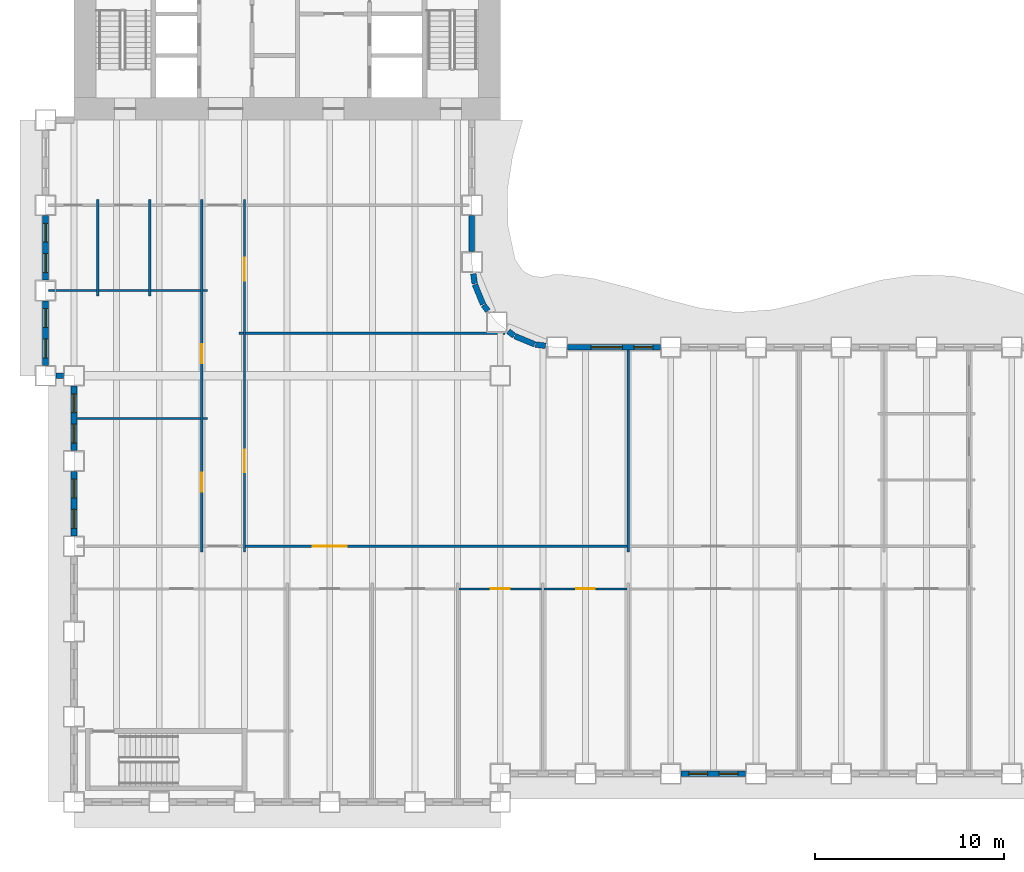
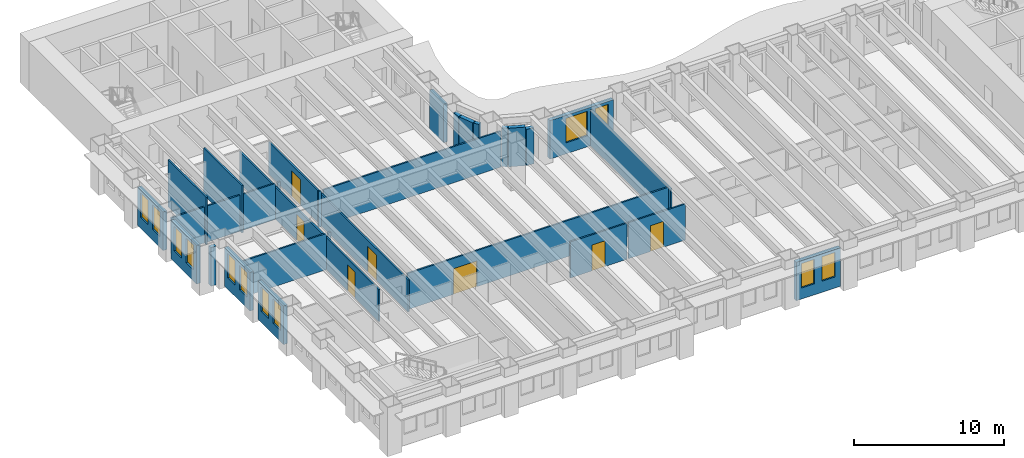
# One storey, part 4 of 16: 30 walls, 12 windows, 7 doors, 19 openings.
"""IFC4 building model written with IfcOpenShell, lengths in metres."""

from ifc_helpers import new_model, si_unit, direction, frame, frame_2d, origin, place, context, subcontext, project, spatial, rectangle, extrude, material, layer, layer_set, type_object, element, fill, save


model = new_model("IFC4")

# Units and contexts
model_context = context("Model", 3, precision=1e-05, world=origin(), true_north=direction((0.0, 1.0)))
body_context = subcontext(model_context, "Body", "Model", "MODEL_VIEW")
ifc_project = project(units=[si_unit("LENGTHUNIT", "METRE"), si_unit("AREAUNIT", "SQUARE_METRE"), si_unit("VOLUMEUNIT", "CUBIC_METRE"), si_unit("PLANEANGLEUNIT", "RADIAN"), si_unit("MASSUNIT", "GRAM", prefix="KILO")], contexts=[model_context])

# Site, building, storey
site_placement = place(None, origin())
site = spatial("IfcSite", under=ifc_project, at=site_placement, CompositionType="ELEMENT")
building_placement = place(site_placement, origin())
building = spatial("IfcBuilding", under=site, at=building_placement, Name="Sennacour Bend Tower", CompositionType="ELEMENT")
storey_placement = place(building_placement, frame((0.0, 0.0, 45.0)))
storey = spatial("IfcBuildingStorey", under=building, at=storey_placement, Name="L09", CompositionType="ELEMENT", Elevation=45.0)

# Walls
ifc_material_1 = material(Name="Plasterboard partition on steel studs", Category="steel")
ifc_layer_1 = layer(ifc_material_1, 0.1201171875, Name="Plasterboard partition on steel studs", Category="steel")
ifc_layer_set_1 = layer_set([ifc_layer_1], Name="Plasterboard partition on steel studs")
wall_type_1 = type_object("IfcWallType", Name="Partition 120", PredefinedType="PARTITIONING", material=ifc_layer_set_1)
for number, where, z_axis, x_axis, name in (
    (1, (1.25, 26.699951171875, 0.0), (0.0, 0.0, 1.0), (0.0, 1.0, 0.0), "P-L09-W004a"),
    (2, (4.0, 26.699951171875, 0.0), (0.0, 0.0, 1.0), (0.0, 1.0, 0.0), "P-L09-W006a"),
):
    element("IfcWall", number, at=place(storey_placement, frame(where, z_axis=z_axis, x_axis=x_axis)), inside=storey, type_object=wall_type_1, Name=name, PredefinedType="PARTITIONING", context=body_context, shape_type="SweptSolid", body=[
        extrude(rectangle(XDim=5.10009765625, YDim=0.1201171875, at=frame_2d((2.550048828125, 0.0))), origin(), (0.0, 0.0, 1.0), 3.85009765625),
    ])

# Wall, openings, doors
wall_1_placement = place(storey_placement, frame((6.75, 13.199951171875, 0.0), z_axis=(0.0, 0.0, 1.0), x_axis=(0.0, 1.0, 0.0)))
wall_1 = element("IfcWall", 3, at=wall_1_placement, inside=storey, type_object=wall_type_1, Name="P-L09-W010a", PredefinedType="PARTITIONING", context=body_context, shape_type="SweptSolid", body=[
    extrude(rectangle(XDim=18.60009765625, YDim=0.1201171875, at=frame_2d((9.300048828125, 0.0))), origin(), (0.0, 0.0, 1.0), 2.60009765625),
])
opening_1_placement = place(wall_1_placement, frame((3.175048828125, 0.0, 0.0)))
opening_1 = element("IfcOpeningElement", 4, at=opening_1_placement, cuts=wall_1, Name="Opening OD2", PredefinedType="OPENING", context=body_context, shape_type="SweptSolid", body=[
    extrude(rectangle(XDim=1.0, YDim=2.10009765625, at=frame_2d((0.5, 1.050048828125))), frame((0.0, 0.070068359375, 0.0), z_axis=(0.0, -1.0, 0.0), x_axis=(1.0, 0.0, 0.0)), (0.0, 0.0, 1.0), 0.14013671875),
])
opening_2_placement = place(wall_1_placement, frame((9.955078125, 0.0, 0.0)))
opening_2 = element("IfcOpeningElement", 5, at=opening_2_placement, cuts=wall_1, Name="Opening MD2", PredefinedType="OPENING", context=body_context, shape_type="SweptSolid", body=[
    extrude(rectangle(XDim=1.0, YDim=2.10009765625, at=frame_2d((0.5, 1.050048828125))), frame((0.0, 0.070068359375, 0.0), z_axis=(0.0, -1.0, 0.0), x_axis=(1.0, 0.0, 0.0)), (0.0, 0.0, 1.0), 0.14013671875),
])
ifc_material_2 = material(Name="Timber", Category="wood")
door_type_1 = type_object("IfcDoorType", Name="DR-MEETING-1000", OperationType="NOTDEFINED", PredefinedType="DOOR", material=ifc_material_2)
door_1_placement = place(opening_2_placement, origin())
door_1 = element("IfcDoor", 6, at=door_1_placement, inside=storey, type_object=door_type_1, Name="Door", OperationType="SINGLE_SWING_RIGHT", OverallHeight=2.10009765625, OverallWidth=1.0, PredefinedType="DOOR", context=body_context, shape_type="SweptSolid", body=[
    extrude(rectangle(XDim=1.0, YDim=2.10009765625, at=frame_2d((0.5, 1.050048828125))), frame((0.0, 0.02490234375, 0.0), z_axis=(0.0, -1.0, 0.0), x_axis=(1.0, 0.0, 0.0)), (0.0, 0.0, 1.0), 0.050048828125),
])
fill(opening_2, door_1)
door_type_2 = type_object("IfcDoorType", Name="DR-OFFICE-1000", OperationType="NOTDEFINED", PredefinedType="DOOR", material=ifc_material_2)
door_2_placement = place(opening_1_placement, origin())
door_2 = element("IfcDoor", 7, at=door_2_placement, inside=storey, type_object=door_type_2, Name="Door", OperationType="SINGLE_SWING_LEFT", OverallHeight=2.10009765625, OverallWidth=1.0, PredefinedType="DOOR", context=body_context, shape_type="SweptSolid", body=[
    extrude(rectangle(XDim=1.0, YDim=2.10009765625, at=frame_2d((0.5, 1.050048828125))), frame((0.0, 0.02490234375, 0.0), z_axis=(0.0, -1.0, 0.0), x_axis=(1.0, 0.0, 0.0)), (0.0, 0.0, 1.0), 0.050048828125),
])
fill(opening_1, door_2)

wall_2_placement = place(storey_placement, frame((9.0, 13.199951171875, 0.0), z_axis=(0.0, 0.0, 1.0), x_axis=(0.0, 1.0, 0.0)))
wall_2 = element("IfcWall", 8, at=wall_2_placement, inside=storey, type_object=wall_type_1, Name="P-L09-W012a", PredefinedType="PARTITIONING", context=body_context, shape_type="SweptSolid", body=[
    extrude(rectangle(XDim=18.60009765625, YDim=0.1201171875, at=frame_2d((9.300048828125, 0.0))), origin(), (0.0, 0.0, 1.0), 2.60009765625),
])
opening_3_placement = place(wall_2_placement, frame((14.324951171875, 0.0, 0.0)))
opening_3 = element("IfcOpeningElement", 9, at=opening_3_placement, cuts=wall_2, Name="Opening MD", PredefinedType="OPENING", context=body_context, shape_type="SweptSolid", body=[
    extrude(rectangle(XDim=1.199951171875, YDim=2.10009765625, at=frame_2d((0.60009765625, 1.050048828125))), frame((0.0, 0.070068359375, 0.0), z_axis=(0.0, -1.0, 0.0), x_axis=(1.0, 0.0, 0.0)), (0.0, 0.0, 1.0), 0.14013671875),
])
opening_4_placement = place(wall_2_placement, frame((4.199951171875, 0.0, 0.0)))
opening_4 = element("IfcOpeningElement", 10, at=opening_4_placement, cuts=wall_2, Name="Opening OD", PredefinedType="OPENING", context=body_context, shape_type="SweptSolid", body=[
    extrude(rectangle(XDim=1.199951171875, YDim=2.10009765625, at=frame_2d((0.60009765625, 1.050048828125))), frame((0.0, 0.070068359375, 0.0), z_axis=(0.0, -1.0, 0.0), x_axis=(1.0, 0.0, 0.0)), (0.0, 0.0, 1.0), 0.14013671875),
])
door_type_3 = type_object("IfcDoorType", Name="DR-MEETING-1200", OperationType="NOTDEFINED", PredefinedType="DOOR", material=ifc_material_2)
door_3_placement = place(opening_3_placement, origin())
door_3 = element("IfcDoor", 11, at=door_3_placement, inside=storey, type_object=door_type_3, Name="Door", OperationType="SINGLE_SWING_RIGHT", OverallHeight=2.10009765625, OverallWidth=1.199951171875, PredefinedType="DOOR", context=body_context, shape_type="SweptSolid", body=[
    extrude(rectangle(XDim=1.199951171875, YDim=2.10009765625, at=frame_2d((0.60009765625, 1.050048828125))), frame((0.0, 0.02490234375, 0.0), z_axis=(0.0, -1.0, 0.0), x_axis=(1.0, 0.0, 0.0)), (0.0, 0.0, 1.0), 0.050048828125),
])
fill(opening_3, door_3)
door_type_4 = type_object("IfcDoorType", Name="DR-OFFICE-1200", OperationType="NOTDEFINED", PredefinedType="DOOR", material=ifc_material_2)
door_4_placement = place(opening_4_placement, origin())
door_4 = element("IfcDoor", 12, at=door_4_placement, inside=storey, type_object=door_type_4, Name="Door", OperationType="SINGLE_SWING_LEFT", OverallHeight=2.10009765625, OverallWidth=1.199951171875, PredefinedType="DOOR", context=body_context, shape_type="SweptSolid", body=[
    extrude(rectangle(XDim=1.199951171875, YDim=2.10009765625, at=frame_2d((0.60009765625, 1.050048828125))), frame((0.0, 0.02490234375, 0.0), z_axis=(0.0, -1.0, 0.0), x_axis=(1.0, 0.0, 0.0)), (0.0, 0.0, 1.0), 0.050048828125),
])
fill(opening_4, door_4)

# Wall
wall_3_placement = place(storey_placement, frame((29.25, 13.199951171875, 0.0), z_axis=(0.0, 0.0, 1.0), x_axis=(0.0, 1.0, 0.0)))
element("IfcWall", 13, at=wall_3_placement, inside=storey, type_object=wall_type_1, Name="P-L09-W027a", PredefinedType="PARTITIONING", context=body_context, shape_type="SweptSolid", body=[
    extrude(rectangle(XDim=10.650146484375, YDim=0.1201171875, at=frame_2d((5.3251953125, 0.0))), origin(), (0.0, 0.0, 1.0), 2.93798828125),
])

# Wall, opening, door
wall_4_placement = place(storey_placement, frame((20.31005859375, 11.25, 0.0), z_axis=(0.0, 0.0, 1.0), x_axis=(1.0, 0.0, 0.0)))
wall_4 = element("IfcWall", 14, at=wall_4_placement, inside=storey, type_object=wall_type_1, Name="P-L09-W059ad", PredefinedType="PARTITIONING", context=body_context, shape_type="SweptSolid", body=[
    extrude(rectangle(XDim=4.3798828125, YDim=0.1201171875, at=frame_2d((2.18994140625, 0.0))), origin(), (0.0, 0.0, 1.0), 2.93798828125),
])
opening_5_placement = place(wall_4_placement, frame((1.68994140625, 0.0, 0.0)))
opening_5 = element("IfcOpeningElement", 15, at=opening_5_placement, cuts=wall_4, Name="Opening OD2", PredefinedType="OPENING", context=body_context, shape_type="SweptSolid", body=[
    extrude(rectangle(XDim=1.0, YDim=2.10009765625, at=frame_2d((0.5, 1.050048828125))), frame((0.0, 0.070068359375, 0.0), z_axis=(0.0, -1.0, 0.0), x_axis=(1.0, 0.0, 0.0)), (0.0, 0.0, 1.0), 0.14013671875),
])
door_5_placement = place(opening_5_placement, origin())
door_5 = element("IfcDoor", 16, at=door_5_placement, inside=storey, type_object=door_type_2, Name="Door", OperationType="SINGLE_SWING_LEFT", OverallHeight=2.10009765625, OverallWidth=1.0, PredefinedType="DOOR", context=body_context, shape_type="SweptSolid", body=[
    extrude(rectangle(XDim=1.0, YDim=2.10009765625, at=frame_2d((0.5, 1.050048828125))), frame((0.0, 0.02490234375, 0.0), z_axis=(0.0, -1.0, 0.0), x_axis=(1.0, 0.0, 0.0)), (0.0, 0.0, 1.0), 0.050048828125),
])
fill(opening_5, door_5)

wall_5_placement = place(storey_placement, frame((24.81005859375, 11.25, 0.0), z_axis=(0.0, 0.0, 1.0), x_axis=(1.0, 0.0, 0.0)))
wall_5 = element("IfcWall", 17, at=wall_5_placement, inside=storey, type_object=wall_type_1, Name="P-L09-W059ae", PredefinedType="PARTITIONING", context=body_context, shape_type="SweptSolid", body=[
    extrude(rectangle(XDim=4.3798828125, YDim=0.1201171875, at=frame_2d((2.18994140625, 0.0))), origin(), (0.0, 0.0, 1.0), 2.93798828125),
])
opening_6_placement = place(wall_5_placement, frame((1.68994140625, 0.0, 0.0)))
opening_6 = element("IfcOpeningElement", 18, at=opening_6_placement, cuts=wall_5, Name="Opening OD2", PredefinedType="OPENING", context=body_context, shape_type="SweptSolid", body=[
    extrude(rectangle(XDim=1.0, YDim=2.10009765625, at=frame_2d((0.5, 1.050048828125))), frame((0.0, 0.070068359375, 0.0), z_axis=(0.0, -1.0, 0.0), x_axis=(1.0, 0.0, 0.0)), (0.0, 0.0, 1.0), 0.14013671875),
])
door_6_placement = place(opening_6_placement, origin())
door_6 = element("IfcDoor", 19, at=door_6_placement, inside=storey, type_object=door_type_2, Name="Door", OperationType="SINGLE_SWING_LEFT", OverallHeight=2.10009765625, OverallWidth=1.0, PredefinedType="DOOR", context=body_context, shape_type="SweptSolid", body=[
    extrude(rectangle(XDim=1.0, YDim=2.10009765625, at=frame_2d((0.5, 1.050048828125))), frame((0.0, 0.02490234375, 0.0), z_axis=(0.0, -1.0, 0.0), x_axis=(1.0, 0.0, 0.0)), (0.0, 0.0, 1.0), 0.050048828125),
])
fill(opening_6, door_6)

wall_6_placement = place(storey_placement, frame((9.06005859375, 13.5, 0.0), z_axis=(0.0, 0.0, 1.0), x_axis=(1.0, 0.0, 0.0)))
wall_6 = element("IfcWall", 20, at=wall_6_placement, inside=storey, type_object=wall_type_1, Name="P-L09-W061ac", PredefinedType="PARTITIONING", context=body_context, shape_type="SweptSolid", body=[
    extrude(rectangle(XDim=20.1298828125, YDim=0.1201171875, at=frame_2d((10.06494140625, 0.0))), origin(), (0.0, 0.0, 1.0), 2.93798828125),
])
opening_7_placement = place(wall_6_placement, frame((3.539794921875, 0.0, 0.0)))
opening_7 = element("IfcOpeningElement", 21, at=opening_7_placement, cuts=wall_6, Name="Opening OD3", PredefinedType="OPENING", context=body_context, shape_type="SweptSolid", body=[
    extrude(rectangle(XDim=1.800048828125, YDim=2.10009765625, at=frame_2d((0.89990234375, 1.050048828125))), frame((0.0, 0.070068359375, 0.0), z_axis=(0.0, -1.0, 0.0), x_axis=(1.0, 0.0, 0.0)), (0.0, 0.0, 1.0), 0.14013671875),
])
door_type_5 = type_object("IfcDoorType", Name="DR-OFFICE-1800", OperationType="NOTDEFINED", PredefinedType="DOOR", material=ifc_material_2)
door_7_placement = place(opening_7_placement, origin())
door_7 = element("IfcDoor", 22, at=door_7_placement, inside=storey, type_object=door_type_5, Name="Door", OperationType="DOUBLE_DOOR_SINGLE_SWING", OverallHeight=2.10009765625, OverallWidth=1.800048828125, PredefinedType="DOOR", context=body_context, shape_type="SweptSolid", body=[
    extrude(rectangle(XDim=1.800048828125, YDim=2.10009765625, at=frame_2d((0.89990234375, 1.050048828125))), frame((0.0, 0.02490234375, 0.0), z_axis=(0.0, -1.0, 0.0), x_axis=(1.0, 0.0, 0.0)), (0.0, 0.0, 1.0), 0.050048828125),
])
fill(opening_7, door_7)

# Walls
wall_7_placement = place(storey_placement, frame((0.14990234375, 20.25, 0.0), z_axis=(0.0, 0.0, 1.0), x_axis=(1.0, 0.0, 0.0)))
element("IfcWall", 23, at=wall_7_placement, inside=storey, type_object=wall_type_1, Name="P-L09-W069aa", PredefinedType="PARTITIONING", context=body_context, shape_type="SweptSolid", body=[
    extrude(rectangle(XDim=6.5400390625, YDim=0.1201171875, at=frame_2d((3.27001953125, 0.0))), origin(), (0.0, 0.0, 1.0), 2.93798828125),
])
for number, where, z_axis, x_axis, name in (
    (24, (6.81005859375, 20.25, 0.0), (0.0, 0.0, 1.0), (1.0, 0.0, 0.0), "P-L09-W069ab"),
    (25, (8.699951171875, 24.75, 0.0), (0.0, 0.0, 1.0), (1.0, 0.0, 0.0), "P-L09-W072aa"),
):
    element("IfcWall", number, at=place(storey_placement, frame(where, z_axis=z_axis, x_axis=x_axis)), inside=storey, type_object=wall_type_1, Name=name, PredefinedType="PARTITIONING", context=body_context, shape_type="SweptSolid", body=[
        extrude(rectangle(XDim=0.239990234375, YDim=0.1201171875, at=frame_2d((0.1201171875, 0.0))), origin(), (0.0, 0.0, 1.0), 2.93798828125),
    ])
wall_8_placement = place(storey_placement, frame((9.06005859375, 24.75, 0.0), z_axis=(0.0, 0.0, 1.0), x_axis=(1.0, 0.0, 0.0)))
element("IfcWall", 26, at=wall_8_placement, inside=storey, type_object=wall_type_1, Name="P-L09-W072ab", PredefinedType="PARTITIONING", context=body_context, shape_type="SweptSolid", body=[
    extrude(rectangle(XDim=13.6904296875, YDim=0.1201171875, at=frame_2d((6.84521484375, 0.0))), origin(), (0.0, 0.0, 1.0), 2.93798828125),
])
wall_9_placement = place(storey_placement, frame((-1.35009765625, 27.0, 0.0), z_axis=(0.0, 0.0, 1.0), x_axis=(1.0, 0.0, 0.0)))
element("IfcWall", 27, at=wall_9_placement, inside=storey, type_object=wall_type_1, Name="P-L09-W073aa", PredefinedType="PARTITIONING", context=body_context, shape_type="SweptSolid", body=[
    extrude(rectangle(XDim=2.5400390625, YDim=0.1201171875, at=frame_2d((1.27001953125, 0.0))), origin(), (0.0, 0.0, 1.0), 2.93798828125),
])
for number, where, z_axis, x_axis, name in (
    (28, (1.31005859375, 27.0, 0.0), (0.0, 0.0, 1.0), (1.0, 0.0, 0.0), "P-L09-W073ab"),
    (29, (4.06005859375, 27.0, 0.0), (0.0, 0.0, 1.0), (1.0, 0.0, 0.0), "P-L09-W073ac"),
):
    element("IfcWall", number, at=place(storey_placement, frame(where, z_axis=z_axis, x_axis=x_axis)), inside=storey, type_object=wall_type_1, Name=name, PredefinedType="PARTITIONING", context=body_context, shape_type="SweptSolid", body=[
        extrude(rectangle(XDim=2.6298828125, YDim=0.1201171875, at=frame_2d((1.31494140625, 0.0))), origin(), (0.0, 0.0, 1.0), 2.93798828125),
    ])
wall_10_placement = place(storey_placement, frame((6.81005859375, 27.0, 0.0), z_axis=(0.0, 0.0, 1.0), x_axis=(1.0, 0.0, 0.0)))
element("IfcWall", 30, at=wall_10_placement, inside=storey, type_object=wall_type_1, Name="P-L09-W073ad", PredefinedType="PARTITIONING", context=body_context, shape_type="SweptSolid", body=[
    extrude(rectangle(XDim=0.239990234375, YDim=0.1201171875, at=frame_2d((0.1201171875, 0.0))), origin(), (0.0, 0.0, 1.0), 2.93798828125),
])

# Wall, openings, windows
ifc_material_3 = material(Name="Warm limestone cladding", Category="masonry")
ifc_layer_2 = layer(ifc_material_3, 0.050048828125, Name="Warm limestone cladding", Category="masonry")
ifc_material_4 = material(Name="Precast concrete C40/50", Category="concrete")
ifc_layer_3 = layer(ifc_material_4, 0.25, Name="Precast concrete C40/50", Category="concrete")
ifc_layer_set_2 = layer_set([ifc_layer_2, ifc_layer_3], Name="Precast concrete C40/50 with limestone cladding")
wall_type_2 = type_object("IfcWallType", Name="STONE-CLAD PRECAST SPANDREL 300", PredefinedType="STANDARD", material=ifc_layer_set_2)
wall_11_placement = place(storey_placement, frame((32.050048828125, 1.5, 0.0), z_axis=(0.0, 0.0, 1.0), x_axis=(1.0, 0.0, 0.0)))
wall_11 = element("IfcWall", 31, at=wall_11_placement, inside=storey, type_object=wall_type_2, Name="Stone spandrel and pier wall L09 02.02", PredefinedType="STANDARD", context=body_context, shape_type="SweptSolid", body=[
    extrude(rectangle(XDim=3.39990234375, YDim=0.300048828125, at=frame_2d((1.699951171875, 0.0))), origin(), (0.0, 0.0, 1.0), 3.14404296875),
])
opening_8_placement = place(wall_11_placement, frame((0.39990234375, 0.0, 0.89990234375)))
opening_8 = element("IfcOpeningElement", 32, at=opening_8_placement, cuts=wall_11, Name="Opening W8", PredefinedType="OPENING", context=body_context, shape_type="SweptSolid", body=[
    extrude(rectangle(XDim=1.0, YDim=2.0, at=frame_2d((0.5, 1.0))), frame((0.0, 0.16015625, 0.0), z_axis=(0.0, -1.0, 0.0), x_axis=(1.0, 0.0, 0.0)), (0.0, 0.0, 1.0), 0.320068359375),
])
opening_9_placement = place(wall_11_placement, frame((2.0, 0.0, 0.89990234375)))
opening_9 = element("IfcOpeningElement", 33, at=opening_9_placement, cuts=wall_11, Name="Opening W8", PredefinedType="OPENING", context=body_context, shape_type="SweptSolid", body=[
    extrude(rectangle(XDim=1.0, YDim=2.0, at=frame_2d((0.5, 1.0))), frame((0.0, 0.16015625, 0.0), z_axis=(0.0, -1.0, 0.0), x_axis=(1.0, 0.0, 0.0)), (0.0, 0.0, 1.0), 0.320068359375),
])
ifc_material_5 = material(Name="Clear low-emissivity glass", Category="glass")
window_type_1 = type_object("IfcWindowType", Name="WIN-RIBBON-1000x2000", PartitioningType="SINGLE_PANEL", PredefinedType="WINDOW", material=ifc_material_5)
window_1_placement = place(opening_8_placement, origin())
window_1 = element("IfcWindow", 34, at=window_1_placement, inside=storey, type_object=window_type_1, Name="Ribbon window L09 02.02.0", OverallHeight=2.0, OverallWidth=1.0, PartitioningType="SINGLE_PANEL", PredefinedType="WINDOW", context=body_context, shape_type="SweptSolid", body=[
    extrude(rectangle(XDim=1.0, YDim=2.0, at=frame_2d((0.5, 1.0))), frame((0.0, 0.030029296875, 0.0), z_axis=(0.0, -1.0, 0.0), x_axis=(1.0, 0.0, 0.0)), (0.0, 0.0, 1.0), 0.06005859375),
])
fill(opening_8, window_1)
window_2_placement = place(opening_9_placement, origin())
window_2 = element("IfcWindow", 35, at=window_2_placement, inside=storey, type_object=window_type_1, Name="Ribbon window L09 02.02.1", OverallHeight=2.0, OverallWidth=1.0, PartitioningType="SINGLE_PANEL", PredefinedType="WINDOW", context=body_context, shape_type="SweptSolid", body=[
    extrude(rectangle(XDim=1.0, YDim=2.0, at=frame_2d((0.5, 1.0))), frame((0.0, 0.030029296875, 0.0), z_axis=(0.0, -1.0, 0.0), x_axis=(1.0, 0.0, 0.0)), (0.0, 0.0, 1.0), 0.06005859375),
])
fill(opening_9, window_2)

wall_12_placement = place(storey_placement, frame((30.949951171875, 24.0, 0.0), z_axis=(0.0, 0.0, 1.0), x_axis=(-1.0, 0.0, 0.0)))
wall_12 = element("IfcWall", 36, at=wall_12_placement, inside=storey, type_object=wall_type_2, Name="Stone spandrel and pier wall L09 08.05", PredefinedType="STANDARD", context=body_context, shape_type="SweptSolid", body=[
    extrude(rectangle(XDim=4.89990234375, YDim=0.300048828125, at=frame_2d((2.449951171875, 0.0))), origin(), (0.0, 0.0, 1.0), 3.14404296875),
])
opening_10_placement = place(wall_12_placement, frame((0.39990234375, 0.0, 0.89990234375)))
opening_10 = element("IfcOpeningElement", 37, at=opening_10_placement, cuts=wall_12, Name="Opening W8", PredefinedType="OPENING", context=body_context, shape_type="SweptSolid", body=[
    extrude(rectangle(XDim=1.0, YDim=2.0, at=frame_2d((0.5, 1.0))), frame((0.0, 0.16015625, 0.0), z_axis=(0.0, -1.0, 0.0), x_axis=(1.0, 0.0, 0.0)), (0.0, 0.0, 1.0), 0.320068359375),
])
opening_11_placement = place(wall_12_placement, frame((2.0, 0.0, 0.89990234375)))
opening_11 = element("IfcOpeningElement", 38, at=opening_11_placement, cuts=wall_12, Name="Opening W10", PredefinedType="OPENING", context=body_context, shape_type="SweptSolid", body=[
    extrude(rectangle(XDim=1.64990234375, YDim=2.0, at=frame_2d((0.824951171875, 1.0))), frame((0.0, 0.16015625, 0.0), z_axis=(0.0, -1.0, 0.0), x_axis=(1.0, 0.0, 0.0)), (0.0, 0.0, 1.0), 0.320068359375),
])
window_3_placement = place(opening_10_placement, origin())
window_3 = element("IfcWindow", 39, at=window_3_placement, inside=storey, type_object=window_type_1, Name="Ribbon window L09 08.05.0", OverallHeight=2.0, OverallWidth=1.0, PartitioningType="SINGLE_PANEL", PredefinedType="WINDOW", context=body_context, shape_type="SweptSolid", body=[
    extrude(rectangle(XDim=1.0, YDim=2.0, at=frame_2d((0.5, 1.0))), frame((0.0, 0.030029296875, 0.0), z_axis=(0.0, -1.0, 0.0), x_axis=(1.0, 0.0, 0.0)), (0.0, 0.0, 1.0), 0.06005859375),
])
fill(opening_10, window_3)
window_type_2 = type_object("IfcWindowType", Name="WIN-RIBBON-1650x2000", PartitioningType="SINGLE_PANEL", PredefinedType="WINDOW", material=ifc_material_5)
window_4_placement = place(opening_11_placement, origin())
window_4 = element("IfcWindow", 40, at=window_4_placement, inside=storey, type_object=window_type_2, Name="Ribbon window L09 08.05.1", OverallHeight=2.0, OverallWidth=1.64990234375, PartitioningType="SINGLE_PANEL", PredefinedType="WINDOW", context=body_context, shape_type="SweptSolid", body=[
    extrude(rectangle(XDim=1.64990234375, YDim=2.0, at=frame_2d((0.824951171875, 1.0))), frame((0.0, 0.030029296875, 0.0), z_axis=(0.0, -1.0, 0.0), x_axis=(1.0, 0.0, 0.0)), (0.0, 0.0, 1.0), 0.06005859375),
])
fill(opening_11, window_4)

# Walls
wall_13_placement = place(storey_placement, frame((24.88818359375, 24.08056640625, 0.0), z_axis=(0.0, 0.0, 1.0), x_axis=(-0.991417173479, 0.130736330569, 0.0)))
element("IfcWall", 41, at=wall_13_placement, inside=storey, type_object=wall_type_2, Name="Stone spandrel and pier wall L09 09.00", PredefinedType="STANDARD", context=body_context, shape_type="SweptSolid", body=[
    extrude(rectangle(XDim=0.537841796875, YDim=0.300048828125, at=frame_2d((0.26904296875, 0.0))), origin(), (0.0, 0.0, 1.0), 2.93798828125),
])
wall_14_placement = place(storey_placement, frame((24.317138671875, 24.160888671875, 0.0), z_axis=(0.0, 0.0, 1.0), x_axis=(-0.923914616768, 0.382598720491, 0.0)))
element("IfcWall", 42, at=wall_14_placement, inside=storey, type_object=wall_type_2, Name="Stone spandrel and pier wall L09 10.00", PredefinedType="STANDARD", context=body_context, shape_type="SweptSolid", body=[
    extrude(rectangle(XDim=1.13525390625, YDim=0.300048828125, at=frame_2d((0.567626953125, 0.0))), origin(), (0.0, 0.0, 1.0), 3.14404296875),
])
for number, where, z_axis, x_axis, name in (
    (43, (23.234375, 24.614990234375, 0.0), (0.0, 0.0, 1.0), (-0.79354495224, 0.60851163405, 0.0), "Stone spandrel and pier wall L09 11.00"),
    (44, (21.8486328125, 25.9296875, 0.0), (0.0, 0.0, 1.0), (-0.60851163405, 0.79354495224, 0.0), "Stone spandrel and pier wall L09 12.00"),
):
    element("IfcWall", number, at=place(storey_placement, frame(where, z_axis=z_axis, x_axis=x_axis)), inside=storey, type_object=wall_type_2, Name=name, PredefinedType="STANDARD", context=body_context, shape_type="SweptSolid", body=[
        extrude(rectangle(XDim=0.384033203125, YDim=0.300048828125, at=frame_2d((0.19189453125, 0.0))), origin(), (0.0, 0.0, 1.0), 3.14404296875),
    ])
wall_15_placement = place(storey_placement, frame((21.59521484375, 26.268310546875, 0.0), z_axis=(0.0, 0.0, 1.0), x_axis=(-0.382598720491, 0.923914616768, 0.0)))
element("IfcWall", 45, at=wall_15_placement, inside=storey, type_object=wall_type_2, Name="Stone spandrel and pier wall L09 13.00", PredefinedType="STANDARD", context=body_context, shape_type="SweptSolid", body=[
    extrude(rectangle(XDim=1.13525390625, YDim=0.300048828125, at=frame_2d((0.567626953125, 0.0))), origin(), (0.0, 0.0, 1.0), 3.14404296875),
])
wall_16_placement = place(storey_placement, frame((21.15087890625, 27.35498046875, 0.0), z_axis=(0.0, 0.0, 1.0), x_axis=(-0.130736330569, 0.991417173479, 0.0)))
element("IfcWall", 46, at=wall_16_placement, inside=storey, type_object=wall_type_2, Name="Stone spandrel and pier wall L09 14.00", PredefinedType="STANDARD", context=body_context, shape_type="SweptSolid", body=[
    extrude(rectangle(XDim=0.537841796875, YDim=0.300048828125, at=frame_2d((0.26904296875, 0.0))), origin(), (0.0, 0.0, 1.0), 3.14404296875),
])
wall_17_placement = place(storey_placement, frame((21.0, 29.050048828125, 0.0), z_axis=(0.0, 0.0, 1.0), x_axis=(0.0, 1.0, 0.0)))
element("IfcWall", 47, at=wall_17_placement, inside=storey, type_object=wall_type_2, Name="Stone spandrel and pier wall L09 15.00", PredefinedType="STANDARD", context=body_context, shape_type="SweptSolid", body=[
    extrude(rectangle(XDim=1.89990234375, YDim=0.300048828125, at=frame_2d((0.949951171875, 0.0))), origin(), (0.0, 0.0, 1.0), 3.14404296875),
])

# Wall, openings, windows
wall_18_placement = place(storey_placement, frame((-1.5, 30.949951171875, 0.0), z_axis=(0.0, 0.0, 1.0), x_axis=(0.0, -1.0, 0.0)))
wall_18 = element("IfcWall", 48, at=wall_18_placement, inside=storey, type_object=wall_type_2, Name="Stone spandrel and pier wall L09 21.01", PredefinedType="STANDARD", context=body_context, shape_type="SweptSolid", body=[
    extrude(rectangle(XDim=3.39990234375, YDim=0.300048828125, at=frame_2d((1.699951171875, 0.0))), origin(), (0.0, 0.0, 1.0), 3.14404296875),
])
opening_12_placement = place(wall_18_placement, frame((0.39990234375, 0.0, 0.89990234375)))
opening_12 = element("IfcOpeningElement", 49, at=opening_12_placement, cuts=wall_18, Name="Opening W8", PredefinedType="OPENING", context=body_context, shape_type="SweptSolid", body=[
    extrude(rectangle(XDim=1.0, YDim=2.0, at=frame_2d((0.5, 1.0))), frame((0.0, 0.16015625, 0.0), z_axis=(0.0, -1.0, 0.0), x_axis=(1.0, 0.0, 0.0)), (0.0, 0.0, 1.0), 0.320068359375),
])
opening_13_placement = place(wall_18_placement, frame((2.0, 0.0, 0.89990234375)))
opening_13 = element("IfcOpeningElement", 50, at=opening_13_placement, cuts=wall_18, Name="Opening W8", PredefinedType="OPENING", context=body_context, shape_type="SweptSolid", body=[
    extrude(rectangle(XDim=1.0, YDim=2.0, at=frame_2d((0.5, 1.0))), frame((0.0, 0.16015625, 0.0), z_axis=(0.0, -1.0, 0.0), x_axis=(1.0, 0.0, 0.0)), (0.0, 0.0, 1.0), 0.320068359375),
])
window_5_placement = place(opening_12_placement, origin())
window_5 = element("IfcWindow", 51, at=window_5_placement, inside=storey, type_object=window_type_1, Name="Ribbon window L09 21.01.0", OverallHeight=2.0, OverallWidth=1.0, PartitioningType="SINGLE_PANEL", PredefinedType="WINDOW", context=body_context, shape_type="SweptSolid", body=[
    extrude(rectangle(XDim=1.0, YDim=2.0, at=frame_2d((0.5, 1.0))), frame((0.0, 0.030029296875, 0.0), z_axis=(0.0, -1.0, 0.0), x_axis=(1.0, 0.0, 0.0)), (0.0, 0.0, 1.0), 0.06005859375),
])
fill(opening_12, window_5)
window_6_placement = place(opening_13_placement, origin())
window_6 = element("IfcWindow", 52, at=window_6_placement, inside=storey, type_object=window_type_1, Name="Ribbon window L09 21.01.1", OverallHeight=2.0, OverallWidth=1.0, PartitioningType="SINGLE_PANEL", PredefinedType="WINDOW", context=body_context, shape_type="SweptSolid", body=[
    extrude(rectangle(XDim=1.0, YDim=2.0, at=frame_2d((0.5, 1.0))), frame((0.0, 0.030029296875, 0.0), z_axis=(0.0, -1.0, 0.0), x_axis=(1.0, 0.0, 0.0)), (0.0, 0.0, 1.0), 0.06005859375),
])
fill(opening_13, window_6)

wall_19_placement = place(storey_placement, frame((-1.5, 26.449951171875, 0.0), z_axis=(0.0, 0.0, 1.0), x_axis=(0.0, -1.0, 0.0)))
wall_19 = element("IfcWall", 53, at=wall_19_placement, inside=storey, type_object=wall_type_2, Name="Stone spandrel and pier wall L09 21.02", PredefinedType="STANDARD", context=body_context, shape_type="SweptSolid", body=[
    extrude(rectangle(XDim=3.39990234375, YDim=0.300048828125, at=frame_2d((1.699951171875, 0.0))), origin(), (0.0, 0.0, 1.0), 3.14404296875),
])
opening_14_placement = place(wall_19_placement, frame((0.39990234375, 0.0, 0.89990234375)))
opening_14 = element("IfcOpeningElement", 54, at=opening_14_placement, cuts=wall_19, Name="Opening W8", PredefinedType="OPENING", context=body_context, shape_type="SweptSolid", body=[
    extrude(rectangle(XDim=1.0, YDim=2.0, at=frame_2d((0.5, 1.0))), frame((0.0, 0.16015625, 0.0), z_axis=(0.0, -1.0, 0.0), x_axis=(1.0, 0.0, 0.0)), (0.0, 0.0, 1.0), 0.320068359375),
])
opening_15_placement = place(wall_19_placement, frame((2.0, 0.0, 0.89990234375)))
opening_15 = element("IfcOpeningElement", 55, at=opening_15_placement, cuts=wall_19, Name="Opening W8", PredefinedType="OPENING", context=body_context, shape_type="SweptSolid", body=[
    extrude(rectangle(XDim=1.0, YDim=2.0, at=frame_2d((0.5, 1.0))), frame((0.0, 0.16015625, 0.0), z_axis=(0.0, -1.0, 0.0), x_axis=(1.0, 0.0, 0.0)), (0.0, 0.0, 1.0), 0.320068359375),
])
window_7_placement = place(opening_14_placement, origin())
window_7 = element("IfcWindow", 56, at=window_7_placement, inside=storey, type_object=window_type_1, Name="Ribbon window L09 21.02.0", OverallHeight=2.0, OverallWidth=1.0, PartitioningType="SINGLE_PANEL", PredefinedType="WINDOW", context=body_context, shape_type="SweptSolid", body=[
    extrude(rectangle(XDim=1.0, YDim=2.0, at=frame_2d((0.5, 1.0))), frame((0.0, 0.030029296875, 0.0), z_axis=(0.0, -1.0, 0.0), x_axis=(1.0, 0.0, 0.0)), (0.0, 0.0, 1.0), 0.06005859375),
])
fill(opening_14, window_7)
window_8_placement = place(opening_15_placement, origin())
window_8 = element("IfcWindow", 57, at=window_8_placement, inside=storey, type_object=window_type_1, Name="Ribbon window L09 21.02.1", OverallHeight=2.0, OverallWidth=1.0, PartitioningType="SINGLE_PANEL", PredefinedType="WINDOW", context=body_context, shape_type="SweptSolid", body=[
    extrude(rectangle(XDim=1.0, YDim=2.0, at=frame_2d((0.5, 1.0))), frame((0.0, 0.030029296875, 0.0), z_axis=(0.0, -1.0, 0.0), x_axis=(1.0, 0.0, 0.0)), (0.0, 0.0, 1.0), 0.06005859375),
])
fill(opening_15, window_8)

# Wall
wall_20_placement = place(storey_placement, frame((-0.949951171875, 22.5, 0.0), z_axis=(0.0, 0.0, 1.0), x_axis=(1.0, 0.0, 0.0)))
element("IfcWall", 58, at=wall_20_placement, inside=storey, type_object=wall_type_2, Name="Stone spandrel and pier wall L09 22.00", PredefinedType="STANDARD", context=body_context, shape_type="SweptSolid", body=[
    extrude(rectangle(XDim=0.39990234375, YDim=0.300048828125, at=frame_2d((0.199951171875, 0.0))), origin(), (0.0, 0.0, 1.0), 3.14404296875),
])

# Wall, openings, windows
wall_21_placement = place(storey_placement, frame((0.0, 21.949951171875, 0.0), z_axis=(0.0, 0.0, 1.0), x_axis=(0.0, -1.0, 0.0)))
wall_21 = element("IfcWall", 59, at=wall_21_placement, inside=storey, type_object=wall_type_2, Name="Stone spandrel and pier wall L09 23.00", PredefinedType="STANDARD", context=body_context, shape_type="SweptSolid", body=[
    extrude(rectangle(XDim=3.39990234375, YDim=0.300048828125, at=frame_2d((1.699951171875, 0.0))), origin(), (0.0, 0.0, 1.0), 3.14404296875),
])
opening_16_placement = place(wall_21_placement, frame((0.39990234375, 0.0, 0.89990234375)))
opening_16 = element("IfcOpeningElement", 60, at=opening_16_placement, cuts=wall_21, Name="Opening W8", PredefinedType="OPENING", context=body_context, shape_type="SweptSolid", body=[
    extrude(rectangle(XDim=1.0, YDim=2.0, at=frame_2d((0.5, 1.0))), frame((0.0, 0.16015625, 0.0), z_axis=(0.0, -1.0, 0.0), x_axis=(1.0, 0.0, 0.0)), (0.0, 0.0, 1.0), 0.320068359375),
])
opening_17_placement = place(wall_21_placement, frame((2.0, 0.0, 0.89990234375)))
opening_17 = element("IfcOpeningElement", 61, at=opening_17_placement, cuts=wall_21, Name="Opening W8", PredefinedType="OPENING", context=body_context, shape_type="SweptSolid", body=[
    extrude(rectangle(XDim=1.0, YDim=2.0, at=frame_2d((0.5, 1.0))), frame((0.0, 0.16015625, 0.0), z_axis=(0.0, -1.0, 0.0), x_axis=(1.0, 0.0, 0.0)), (0.0, 0.0, 1.0), 0.320068359375),
])
window_9_placement = place(opening_16_placement, origin())
window_9 = element("IfcWindow", 62, at=window_9_placement, inside=storey, type_object=window_type_1, Name="Ribbon window L09 23.00.0", OverallHeight=2.0, OverallWidth=1.0, PartitioningType="SINGLE_PANEL", PredefinedType="WINDOW", context=body_context, shape_type="SweptSolid", body=[
    extrude(rectangle(XDim=1.0, YDim=2.0, at=frame_2d((0.5, 1.0))), frame((0.0, 0.030029296875, 0.0), z_axis=(0.0, -1.0, 0.0), x_axis=(1.0, 0.0, 0.0)), (0.0, 0.0, 1.0), 0.06005859375),
])
fill(opening_16, window_9)
window_10_placement = place(opening_17_placement, origin())
window_10 = element("IfcWindow", 63, at=window_10_placement, inside=storey, type_object=window_type_1, Name="Ribbon window L09 23.00.1", OverallHeight=2.0, OverallWidth=1.0, PartitioningType="SINGLE_PANEL", PredefinedType="WINDOW", context=body_context, shape_type="SweptSolid", body=[
    extrude(rectangle(XDim=1.0, YDim=2.0, at=frame_2d((0.5, 1.0))), frame((0.0, 0.030029296875, 0.0), z_axis=(0.0, -1.0, 0.0), x_axis=(1.0, 0.0, 0.0)), (0.0, 0.0, 1.0), 0.06005859375),
])
fill(opening_17, window_10)

wall_22_placement = place(storey_placement, frame((0.0, 17.449951171875, 0.0), z_axis=(0.0, 0.0, 1.0), x_axis=(0.0, -1.0, 0.0)))
wall_22 = element("IfcWall", 64, at=wall_22_placement, inside=storey, type_object=wall_type_2, Name="Stone spandrel and pier wall L09 23.01", PredefinedType="STANDARD", context=body_context, shape_type="SweptSolid", body=[
    extrude(rectangle(XDim=3.39990234375, YDim=0.300048828125, at=frame_2d((1.699951171875, 0.0))), origin(), (0.0, 0.0, 1.0), 3.14404296875),
])
opening_18_placement = place(wall_22_placement, frame((0.39990234375, 0.0, 0.89990234375)))
opening_18 = element("IfcOpeningElement", 65, at=opening_18_placement, cuts=wall_22, Name="Opening W8", PredefinedType="OPENING", context=body_context, shape_type="SweptSolid", body=[
    extrude(rectangle(XDim=1.0, YDim=2.0, at=frame_2d((0.5, 1.0))), frame((0.0, 0.16015625, 0.0), z_axis=(0.0, -1.0, 0.0), x_axis=(1.0, 0.0, 0.0)), (0.0, 0.0, 1.0), 0.320068359375),
])
opening_19_placement = place(wall_22_placement, frame((2.0, 0.0, 0.89990234375)))
opening_19 = element("IfcOpeningElement", 66, at=opening_19_placement, cuts=wall_22, Name="Opening W8", PredefinedType="OPENING", context=body_context, shape_type="SweptSolid", body=[
    extrude(rectangle(XDim=1.0, YDim=2.0, at=frame_2d((0.5, 1.0))), frame((0.0, 0.16015625, 0.0), z_axis=(0.0, -1.0, 0.0), x_axis=(1.0, 0.0, 0.0)), (0.0, 0.0, 1.0), 0.320068359375),
])
window_11_placement = place(opening_18_placement, origin())
window_11 = element("IfcWindow", 67, at=window_11_placement, inside=storey, type_object=window_type_1, Name="Ribbon window L09 23.01.0", OverallHeight=2.0, OverallWidth=1.0, PartitioningType="SINGLE_PANEL", PredefinedType="WINDOW", context=body_context, shape_type="SweptSolid", body=[
    extrude(rectangle(XDim=1.0, YDim=2.0, at=frame_2d((0.5, 1.0))), frame((0.0, 0.030029296875, 0.0), z_axis=(0.0, -1.0, 0.0), x_axis=(1.0, 0.0, 0.0)), (0.0, 0.0, 1.0), 0.06005859375),
])
fill(opening_18, window_11)
window_12_placement = place(opening_19_placement, origin())
window_12 = element("IfcWindow", 68, at=window_12_placement, inside=storey, type_object=window_type_1, Name="Ribbon window L09 23.01.1", OverallHeight=2.0, OverallWidth=1.0, PartitioningType="SINGLE_PANEL", PredefinedType="WINDOW", context=body_context, shape_type="SweptSolid", body=[
    extrude(rectangle(XDim=1.0, YDim=2.0, at=frame_2d((0.5, 1.0))), frame((0.0, 0.030029296875, 0.0), z_axis=(0.0, -1.0, 0.0), x_axis=(1.0, 0.0, 0.0)), (0.0, 0.0, 1.0), 0.06005859375),
])
fill(opening_19, window_12)

save(model, "model.ifc")
